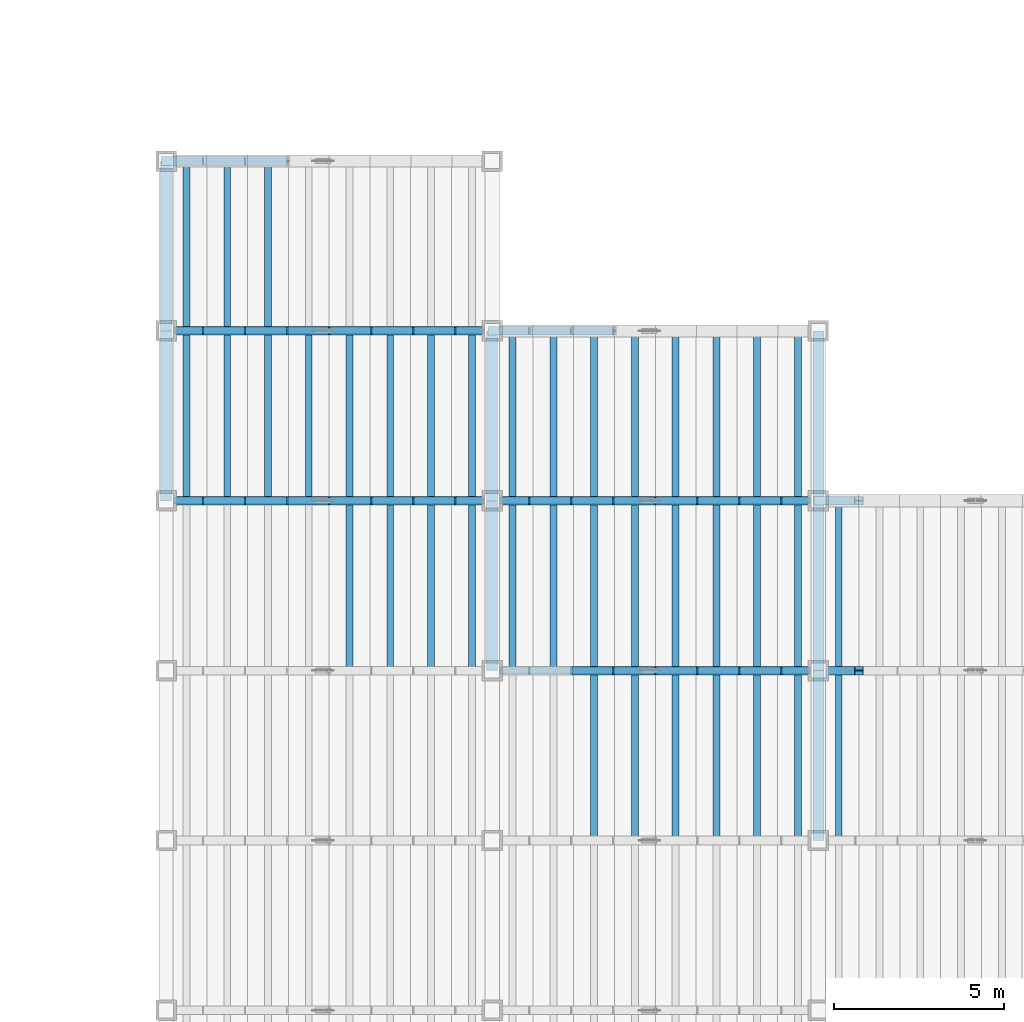
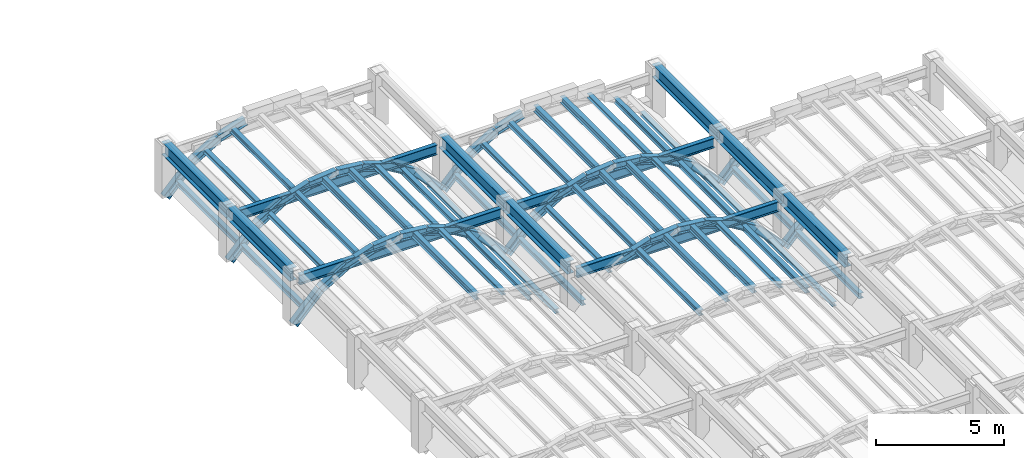
# One storey, part 21 of 70: 77 members, 11 beams.
"""IFC4 building model written with IfcOpenShell, lengths in metres."""

from ifc_helpers import new_model, si_unit, direction, frame, origin, origin_2d, place, context, subcontext, project, spatial, i_section, extrude, material, material_profile, profile_set, type_object, element, save


model = new_model("IFC4")

# Units and contexts
model_context = context("Model", 3, precision=1e-05, world=origin(), true_north=direction((0.0, 1.0)))
body_context = subcontext(model_context, "Body", "Model", "MODEL_VIEW")
ifc_project = project(units=[si_unit("LENGTHUNIT", "METRE"), si_unit("AREAUNIT", "SQUARE_METRE"), si_unit("VOLUMEUNIT", "CUBIC_METRE"), si_unit("PLANEANGLEUNIT", "RADIAN"), si_unit("MASSUNIT", "GRAM", prefix="KILO")], contexts=[model_context])

# Site, building, storey
site_placement = place(None, origin())
site = spatial("IfcSite", under=ifc_project, at=site_placement, CompositionType="ELEMENT")
building_placement = place(site_placement, origin())
building = spatial("IfcBuilding", under=site, at=building_placement, Name="Mavantir Sound Aquarium", CompositionType="ELEMENT")
storey_placement = place(building_placement, frame((0.0, 0.0, 27.0)))
storey = spatial("IfcBuildingStorey", under=building, at=storey_placement, Name="RF", CompositionType="ELEMENT", Elevation=27.0)

# Beams
ifc_material = material(Name="Structural Steel ASTM A992 Gr50", Category="steel")
ifc_material_profile_1 = material_profile(ifc_material, i_section(OverallWidth=0.194091796875, OverallDepth=0.468994140625, WebThickness=0.0126953125, FlangeThickness=0.0205078125, FilletRadius=0.01611328125, at=origin_2d()), Name="W460X106")
ifc_profile_set_1 = profile_set([ifc_material_profile_1], Name="Structural Steel ASTM A992 Gr50")
beam_type_1 = type_object("IfcBeamType", Name="BM-W460X106-I", PredefinedType="BEAM", material=ifc_profile_set_1)
for number, where, z_axis, x_axis, name in (
    (1, (108.25, 80.800048828125, -5.327392578125), (1.0, 0.0, 0.0), (0.0, 1.0, 0.0), "Scalloped bay 1 transverse tie girder 71"),
    (2, (108.25, 85.800048828125, -5.327392578125), (1.0, 0.0, 0.0), (0.0, 1.0, 0.0), "Scalloped bay 1 transverse tie girder 81"),
):
    element("IfcBeam", number, at=place(storey_placement, frame(where, z_axis=z_axis, x_axis=x_axis)), inside=storey, type_object=beam_type_1, Name=name, PredefinedType="BEAM", context=body_context, shape_type="SweptSolid", body=[
        extrude(i_section(OverallWidth=0.194091796875, OverallDepth=0.468994140625, WebThickness=0.0126953125, FlangeThickness=0.0205078125, FilletRadius=0.01611328125, at=origin_2d()), origin(), (0.0, 0.0, 1.0), 9.10009765625),
    ])
for number, where, z_axis, x_axis, name in (
    (3, (117.85009765625, 75.800048828125, -5.327392578125), (1.0, 0.0, 0.0), (0.0, 1.0, 0.0), "Scalloped bay 2 transverse tie girder 161"),
    (4, (117.85009765625, 80.800048828125, -5.327392578125), (1.0, 0.0, 0.0), (0.0, 1.0, 0.0), "Scalloped bay 2 transverse tie girder 171"),
):
    element("IfcBeam", number, at=place(storey_placement, frame(where, z_axis=z_axis, x_axis=x_axis)), inside=storey, type_object=beam_type_1, Name=name, PredefinedType="BEAM", context=body_context, shape_type="SweptSolid", body=[
        extrude(i_section(OverallWidth=0.194091796875, OverallDepth=0.468994140625, WebThickness=0.0126953125, FlangeThickness=0.0205078125, FilletRadius=0.01611328125, at=origin_2d()), origin(), (0.0, 0.0, 1.0), 9.099853515625),
    ])
ifc_material_profile_2 = material_profile(ifc_material, i_section(OverallWidth=0.323974609375, OverallDepth=0.611083984375, WebThickness=0.0126953125, FlangeThickness=0.01904296875, FilletRadius=0.01904296875, at=origin_2d()), Name="W610X155")
ifc_profile_set_2 = profile_set([ifc_material_profile_2], Name="Structural Steel ASTM A992 Gr50")
beam_type_2 = type_object("IfcBeamType", Name="BM-W610X155-E", PredefinedType="BEAM", material=ifc_profile_set_2)
for number, where, z_axis, x_axis, name in (
    (5, (108.0, 80.800048828125, -5.0048828125), (0.0, 1.0, 0.0), (-1.0, 0.0, 0.0), "Scalloped roof straight ridge beam 8"),
    (6, (108.0, 85.800048828125, -5.0048828125), (0.0, 1.0, 0.0), (-1.0, 0.0, 0.0), "Scalloped roof straight ridge beam 9"),
    (7, (117.60009765625, 75.800048828125, -5.0048828125), (0.0, 1.0, 0.0), (-1.0, 0.0, 0.0), "Scalloped roof straight ridge beam 16"),
    (8, (117.60009765625, 80.800048828125, -5.0048828125), (0.0, 1.0, 0.0), (-1.0, 0.0, 0.0), "Scalloped roof straight ridge beam 17"),
    (9, (127.199951171875, 70.800048828125, -5.0048828125), (0.0, 1.0, 0.0), (-1.0, 0.0, 0.0), "Scalloped roof straight ridge beam 24"),
    (10, (127.199951171875, 75.800048828125, -5.0048828125), (0.0, 1.0, 0.0), (-1.0, 0.0, 0.0), "Scalloped roof straight ridge beam 25"),
    (11, (127.199951171875, 80.800048828125, -5.0048828125), (0.0, 1.0, 0.0), (-1.0, 0.0, 0.0), "Scalloped roof straight ridge beam 26"),
):
    element("IfcBeam", number, at=place(storey_placement, frame(where, z_axis=z_axis, x_axis=x_axis)), inside=storey, type_object=beam_type_2, Name=name, PredefinedType="BEAM", context=body_context, shape_type="SweptSolid", body=[
        extrude(i_section(OverallWidth=0.323974609375, OverallDepth=0.611083984375, WebThickness=0.0126953125, FlangeThickness=0.01904296875, FilletRadius=0.01904296875, at=origin_2d()), origin(), (0.0, 0.0, 1.0), 5.0),
    ])

# Members
ifc_material_profile_3 = material_profile(ifc_material, i_section(OverallWidth=0.202880859375, OverallDepth=0.202880859375, WebThickness=0.007080078125, FlangeThickness=0.010986328125, FilletRadius=0.010009765625, at=origin_2d()), Name="W200X46")
ifc_profile_set_3 = profile_set([ifc_material_profile_3], Name="Structural Steel ASTM A992 Gr50")
member_type_1 = type_object("IfcMemberType", Name="MEM-TR-W200", PredefinedType="PURLIN", material=ifc_profile_set_3)
for number, where, z_axis, x_axis, name in (
    (12, (114.60009765625, 75.800048828125, -5.169921875), (0.0, 1.0, 0.0), (-1.0, 0.0, 0.0), "Scalloped bay 1 roof purlin 54"),
    (13, (117.0, 75.800048828125, -6.881103515625), (0.0, 1.0, 0.0), (-1.0, 0.0, 0.0), "Scalloped bay 1 roof purlin 56"),
    (14, (109.800048828125, 80.800048828125, -5.77978515625), (0.0, 1.0, 0.0), (-1.0, 0.0, 0.0), "Scalloped bay 1 roof purlin 58"),
    (15, (114.60009765625, 80.800048828125, -5.169921875), (0.0, 1.0, 0.0), (-1.0, 0.0, 0.0), "Scalloped bay 1 roof purlin 62"),
    (16, (117.0, 80.800048828125, -6.881103515625), (0.0, 1.0, 0.0), (-1.0, 0.0, 0.0), "Scalloped bay 1 roof purlin 64"),
    (17, (109.800048828125, 85.800048828125, -5.77978515625), (0.0, 1.0, 0.0), (-1.0, 0.0, 0.0), "Scalloped bay 1 roof purlin 66"),
    (18, (124.199951171875, 70.800048828125, -5.169921875), (0.0, 1.0, 0.0), (-1.0, 0.0, 0.0), "Scalloped bay 2 roof purlin 118"),
    (19, (126.60009765625, 70.800048828125, -6.881103515625), (0.0, 1.0, 0.0), (-1.0, 0.0, 0.0), "Scalloped bay 2 roof purlin 120"),
    (20, (119.39990234375, 75.800048828125, -5.77978515625), (0.0, 1.0, 0.0), (-1.0, 0.0, 0.0), "Scalloped bay 2 roof purlin 122"),
    (21, (124.199951171875, 75.800048828125, -5.169921875), (0.0, 1.0, 0.0), (-1.0, 0.0, 0.0), "Scalloped bay 2 roof purlin 126"),
    (22, (126.60009765625, 75.800048828125, -6.881103515625), (0.0, 1.0, 0.0), (-1.0, 0.0, 0.0), "Scalloped bay 2 roof purlin 128"),
    (23, (119.39990234375, 80.800048828125, -5.77978515625), (0.0, 1.0, 0.0), (-1.0, 0.0, 0.0), "Scalloped bay 2 roof purlin 130"),
    (24, (124.199951171875, 80.800048828125, -5.169921875), (0.0, 1.0, 0.0), (-1.0, 0.0, 0.0), "Scalloped bay 2 roof purlin 134"),
    (25, (126.60009765625, 80.800048828125, -6.881103515625), (0.0, 1.0, 0.0), (-1.0, 0.0, 0.0), "Scalloped bay 2 roof purlin 136"),
):
    element("IfcMember", number, at=place(storey_placement, frame(where, z_axis=z_axis, x_axis=x_axis)), inside=storey, type_object=member_type_1, Name=name, PredefinedType="PURLIN", context=body_context, shape_type="SweptSolid", body=[
        extrude(i_section(OverallWidth=0.202880859375, OverallDepth=0.202880859375, WebThickness=0.007080078125, FlangeThickness=0.010986328125, FilletRadius=0.010009765625, at=origin_2d()), origin(), (0.0, 0.0, 1.0), 5.0),
    ])
ifc_material_profile_4 = material_profile(ifc_material, i_section(OverallWidth=0.202880859375, OverallDepth=0.251953125, WebThickness=0.008056640625, FlangeThickness=0.013427734375, FilletRadius=0.011962890625, at=origin_2d()), Name="W250X58")
ifc_profile_set_4 = profile_set([ifc_material_profile_4], Name="Structural Steel ASTM A992 Gr50")
member_type_2 = type_object("IfcMemberType", Name="MEM-TR-W250", PredefinedType="PURLIN", material=ifc_profile_set_4)
for number, where, z_axis, x_axis, name in (
    (26, (115.800048828125, 75.800048828125, -5.804443359375), (0.0, 1.0, 0.0), (-1.0, 0.0, 0.0), "Scalloped bay 1 roof purlin 55"),
    (27, (108.60009765625, 80.800048828125, -6.90576171875), (0.0, 1.0, 0.0), (-1.0, 0.0, 0.0), "Scalloped bay 1 roof purlin 57"),
    (28, (111.0, 80.800048828125, -5.194580078125), (0.0, 1.0, 0.0), (-1.0, 0.0, 0.0), "Scalloped bay 1 roof purlin 59"),
    (29, (115.800048828125, 80.800048828125, -5.804443359375), (0.0, 1.0, 0.0), (-1.0, 0.0, 0.0), "Scalloped bay 1 roof purlin 63"),
    (30, (108.60009765625, 85.800048828125, -6.90576171875), (0.0, 1.0, 0.0), (-1.0, 0.0, 0.0), "Scalloped bay 1 roof purlin 65"),
    (31, (111.0, 85.800048828125, -5.194580078125), (0.0, 1.0, 0.0), (-1.0, 0.0, 0.0), "Scalloped bay 1 roof purlin 67"),
    (32, (120.60009765625, 70.800048828125, -5.194580078125), (0.0, 1.0, 0.0), (-1.0, 0.0, 0.0), "Scalloped bay 2 roof purlin 115"),
    (33, (125.39990234375, 70.800048828125, -5.804443359375), (0.0, 1.0, 0.0), (-1.0, 0.0, 0.0), "Scalloped bay 2 roof purlin 119"),
    (34, (118.199951171875, 75.800048828125, -6.90576171875), (0.0, 1.0, 0.0), (-1.0, 0.0, 0.0), "Scalloped bay 2 roof purlin 121"),
    (35, (120.60009765625, 75.800048828125, -5.194580078125), (0.0, 1.0, 0.0), (-1.0, 0.0, 0.0), "Scalloped bay 2 roof purlin 123"),
    (36, (125.39990234375, 75.800048828125, -5.804443359375), (0.0, 1.0, 0.0), (-1.0, 0.0, 0.0), "Scalloped bay 2 roof purlin 127"),
    (37, (118.199951171875, 80.800048828125, -6.90576171875), (0.0, 1.0, 0.0), (-1.0, 0.0, 0.0), "Scalloped bay 2 roof purlin 129"),
    (38, (120.60009765625, 80.800048828125, -5.194580078125), (0.0, 1.0, 0.0), (-1.0, 0.0, 0.0), "Scalloped bay 2 roof purlin 131"),
    (39, (125.39990234375, 80.800048828125, -5.804443359375), (0.0, 1.0, 0.0), (-1.0, 0.0, 0.0), "Scalloped bay 2 roof purlin 135"),
    (40, (127.800048828125, 70.800048828125, -6.90576171875), (0.0, 1.0, 0.0), (-1.0, 0.0, 0.0), "Scalloped bay 3 roof purlin 177"),
    (41, (127.800048828125, 75.800048828125, -6.90576171875), (0.0, 1.0, 0.0), (-1.0, 0.0, 0.0), "Scalloped bay 3 roof purlin 185"),
):
    element("IfcMember", number, at=place(storey_placement, frame(where, z_axis=z_axis, x_axis=x_axis)), inside=storey, type_object=member_type_2, Name=name, PredefinedType="PURLIN", context=body_context, shape_type="SweptSolid", body=[
        extrude(i_section(OverallWidth=0.202880859375, OverallDepth=0.251953125, WebThickness=0.008056640625, FlangeThickness=0.013427734375, FilletRadius=0.011962890625, at=origin_2d()), origin(), (0.0, 0.0, 1.0), 5.0),
    ])
ifc_material_profile_5 = material_profile(ifc_material, i_section(OverallWidth=0.205078125, OverallDepth=0.31005859375, WebThickness=0.009521484375, FlangeThickness=0.016357421875, FilletRadius=0.012939453125, at=origin_2d()), Name="W310X74")
ifc_profile_set_5 = profile_set([ifc_material_profile_5], Name="Structural Steel ASTM A992 Gr50")
member_type_3 = type_object("IfcMemberType", Name="MEM-TR-W310", PredefinedType="RAFTER", material=ifc_profile_set_5)
for number, where, z_axis, x_axis, name in (
    (42, (113.39990234375, 75.800048828125, -4.933837890625), (0.0, 1.0, 0.0), (-1.0, 0.0, 0.0), "Scalloped bay 1 roof purlin 53"),
    (43, (112.199951171875, 80.800048828125, -4.933837890625), (0.0, 1.0, 0.0), (-1.0, 0.0, 0.0), "Scalloped bay 1 roof purlin 60"),
    (44, (113.39990234375, 80.800048828125, -4.933837890625), (0.0, 1.0, 0.0), (-1.0, 0.0, 0.0), "Scalloped bay 1 roof purlin 61"),
    (45, (121.800048828125, 70.800048828125, -4.933837890625), (0.0, 1.0, 0.0), (-1.0, 0.0, 0.0), "Scalloped bay 2 roof purlin 116"),
    (46, (123.0, 70.800048828125, -4.933837890625), (0.0, 1.0, 0.0), (-1.0, 0.0, 0.0), "Scalloped bay 2 roof purlin 117"),
    (47, (121.800048828125, 75.800048828125, -4.933837890625), (0.0, 1.0, 0.0), (-1.0, 0.0, 0.0), "Scalloped bay 2 roof purlin 124"),
    (48, (123.0, 75.800048828125, -4.933837890625), (0.0, 1.0, 0.0), (-1.0, 0.0, 0.0), "Scalloped bay 2 roof purlin 125"),
    (49, (121.800048828125, 80.800048828125, -4.933837890625), (0.0, 1.0, 0.0), (-1.0, 0.0, 0.0), "Scalloped bay 2 roof purlin 132"),
    (50, (123.0, 80.800048828125, -4.933837890625), (0.0, 1.0, 0.0), (-1.0, 0.0, 0.0), "Scalloped bay 2 roof purlin 133"),
):
    element("IfcMember", number, at=place(storey_placement, frame(where, z_axis=z_axis, x_axis=x_axis)), inside=storey, type_object=member_type_3, Name=name, PredefinedType="RAFTER", context=body_context, shape_type="SweptSolid", body=[
        extrude(i_section(OverallWidth=0.205078125, OverallDepth=0.31005859375, WebThickness=0.009521484375, FlangeThickness=0.016357421875, FilletRadius=0.012939453125, at=origin_2d()), origin(), (0.0, 0.0, 1.0), 5.0),
    ])
ifc_material_profile_6 = material_profile(ifc_material, i_section(OverallWidth=0.25390625, OverallDepth=0.35302734375, WebThickness=0.009521484375, FlangeThickness=0.016357421875, FilletRadius=0.014892578125, at=origin_2d()), Name="W360X91")
ifc_profile_set_6 = profile_set([ifc_material_profile_6], Name="Structural Steel ASTM A992 Gr50")
member_type_4 = type_object("IfcMemberType", Name="MEM-TR-W360", PredefinedType="RAFTER", material=ifc_profile_set_6)
member_1_placement = place(storey_placement, frame((108.0, 80.800048828125, -7.37646484375), z_axis=(0.688727365252, 0.0, 0.725020424784), x_axis=(0.0, 1.0, 0.0)))
element("IfcMember", 51, at=member_1_placement, inside=storey, type_object=member_type_4, Name="Scalloped bay 1 sagging-arc trough rib 72", PredefinedType="RAFTER", context=body_context, shape_type="SweptSolid", body=[
    extrude(i_section(OverallWidth=0.25390625, OverallDepth=0.35302734375, WebThickness=0.009521484375, FlangeThickness=0.016357421875, FilletRadius=0.014892578125, at=origin_2d()), origin(), (0.0, 0.0, 1.0), 1.7421875),
])
member_2_placement = place(storey_placement, frame((109.199951171875, 80.800048828125, -6.11328125), z_axis=(0.856645937356, 0.0, 0.515904776109), x_axis=(0.0, 1.0, 0.0)))
element("IfcMember", 52, at=member_2_placement, inside=storey, type_object=member_type_4, Name="Scalloped bay 1 sagging-arc trough rib 73", PredefinedType="RAFTER", context=body_context, shape_type="SweptSolid", body=[
    extrude(i_section(OverallWidth=0.25390625, OverallDepth=0.35302734375, WebThickness=0.009521484375, FlangeThickness=0.016357421875, FilletRadius=0.014892578125, at=origin_2d()), origin(), (0.0, 0.0, 1.0), 1.400634765625),
])
member_3_placement = place(storey_placement, frame((110.39990234375, 80.800048828125, -5.390625), z_axis=(0.951073869353, 0.0, 0.30896358205), x_axis=(0.0, 1.0, 0.0)))
element("IfcMember", 53, at=member_3_placement, inside=storey, type_object=member_type_4, Name="Scalloped bay 1 sagging-arc trough rib 74", PredefinedType="RAFTER", context=body_context, shape_type="SweptSolid", body=[
    extrude(i_section(OverallWidth=0.25390625, OverallDepth=0.35302734375, WebThickness=0.009521484375, FlangeThickness=0.016357421875, FilletRadius=0.014892578125, at=origin_2d()), origin(), (0.0, 0.0, 1.0), 1.261962890625),
])
for number, where, z_axis, x_axis, name in (
    (54, (111.60009765625, 80.800048828125, -5.000732421875), (0.994680359373, 0.0, 0.103009624196), (0.0, 1.0, 0.0), "Scalloped bay 1 sagging-arc trough rib 75"),
    (55, (112.800048828125, 80.800048828125, -4.87646484375), (0.994680359373, 0.0, -0.103009624196), (0.0, 1.0, 0.0), "Scalloped bay 1 sagging-arc trough rib 76"),
):
    element("IfcMember", number, at=place(storey_placement, frame(where, z_axis=z_axis, x_axis=x_axis)), inside=storey, type_object=member_type_4, Name=name, PredefinedType="RAFTER", context=body_context, shape_type="SweptSolid", body=[
        extrude(i_section(OverallWidth=0.25390625, OverallDepth=0.35302734375, WebThickness=0.009521484375, FlangeThickness=0.016357421875, FilletRadius=0.014892578125, at=origin_2d()), origin(), (0.0, 0.0, 1.0), 1.206298828125),
    ])
member_4_placement = place(storey_placement, frame((114.0, 80.800048828125, -5.000732421875), z_axis=(0.951055396379, 0.0, -0.309020441102), x_axis=(0.0, 1.0, 0.0)))
element("IfcMember", 56, at=member_4_placement, inside=storey, type_object=member_type_4, Name="Scalloped bay 1 sagging-arc trough rib 78", PredefinedType="RAFTER", context=body_context, shape_type="SweptSolid", body=[
    extrude(i_section(OverallWidth=0.25390625, OverallDepth=0.35302734375, WebThickness=0.009521484375, FlangeThickness=0.016357421875, FilletRadius=0.014892578125, at=origin_2d()), origin(), (0.0, 0.0, 1.0), 1.26171875),
])
member_5_placement = place(storey_placement, frame((115.199951171875, 80.800048828125, -5.390625), z_axis=(0.856645937356, 0.0, -0.515904776109), x_axis=(0.0, 1.0, 0.0)))
element("IfcMember", 57, at=member_5_placement, inside=storey, type_object=member_type_4, Name="Scalloped bay 1 sagging-arc trough rib 79", PredefinedType="RAFTER", context=body_context, shape_type="SweptSolid", body=[
    extrude(i_section(OverallWidth=0.25390625, OverallDepth=0.35302734375, WebThickness=0.009521484375, FlangeThickness=0.016357421875, FilletRadius=0.014892578125, at=origin_2d()), origin(), (0.0, 0.0, 1.0), 1.400634765625),
])
member_6_placement = place(storey_placement, frame((116.39990234375, 80.800048828125, -6.11328125), z_axis=(0.688801013332, 0.0, -0.724950456261), x_axis=(0.0, 1.0, 0.0)))
element("IfcMember", 58, at=member_6_placement, inside=storey, type_object=member_type_4, Name="Scalloped bay 1 sagging-arc trough rib 80", PredefinedType="RAFTER", context=body_context, shape_type="SweptSolid", body=[
    extrude(i_section(OverallWidth=0.25390625, OverallDepth=0.35302734375, WebThickness=0.009521484375, FlangeThickness=0.016357421875, FilletRadius=0.014892578125, at=origin_2d()), origin(), (0.0, 0.0, 1.0), 1.742431640625),
])
member_7_placement = place(storey_placement, frame((108.0, 85.800048828125, -7.37646484375), z_axis=(0.688727365252, 0.0, 0.725020424784), x_axis=(0.0, 1.0, 0.0)))
element("IfcMember", 59, at=member_7_placement, inside=storey, type_object=member_type_4, Name="Scalloped bay 1 sagging-arc trough rib 82", PredefinedType="RAFTER", context=body_context, shape_type="SweptSolid", body=[
    extrude(i_section(OverallWidth=0.25390625, OverallDepth=0.35302734375, WebThickness=0.009521484375, FlangeThickness=0.016357421875, FilletRadius=0.014892578125, at=origin_2d()), origin(), (0.0, 0.0, 1.0), 1.7421875),
])
member_8_placement = place(storey_placement, frame((109.199951171875, 85.800048828125, -6.11328125), z_axis=(0.856645937356, 0.0, 0.515904776109), x_axis=(0.0, 1.0, 0.0)))
element("IfcMember", 60, at=member_8_placement, inside=storey, type_object=member_type_4, Name="Scalloped bay 1 sagging-arc trough rib 83", PredefinedType="RAFTER", context=body_context, shape_type="SweptSolid", body=[
    extrude(i_section(OverallWidth=0.25390625, OverallDepth=0.35302734375, WebThickness=0.009521484375, FlangeThickness=0.016357421875, FilletRadius=0.014892578125, at=origin_2d()), origin(), (0.0, 0.0, 1.0), 1.400634765625),
])
member_9_placement = place(storey_placement, frame((110.39990234375, 85.800048828125, -5.390625), z_axis=(0.951073869353, 0.0, 0.30896358205), x_axis=(0.0, 1.0, 0.0)))
element("IfcMember", 61, at=member_9_placement, inside=storey, type_object=member_type_4, Name="Scalloped bay 1 sagging-arc trough rib 84", PredefinedType="RAFTER", context=body_context, shape_type="SweptSolid", body=[
    extrude(i_section(OverallWidth=0.25390625, OverallDepth=0.35302734375, WebThickness=0.009521484375, FlangeThickness=0.016357421875, FilletRadius=0.014892578125, at=origin_2d()), origin(), (0.0, 0.0, 1.0), 1.261962890625),
])
for number, where, z_axis, x_axis, name in (
    (62, (111.60009765625, 85.800048828125, -5.000732421875), (0.994680359373, 0.0, 0.103009624196), (0.0, 1.0, 0.0), "Scalloped bay 1 sagging-arc trough rib 85"),
    (63, (112.800048828125, 85.800048828125, -4.87646484375), (0.994680359373, 0.0, -0.103009624196), (0.0, 1.0, 0.0), "Scalloped bay 1 sagging-arc trough rib 86"),
):
    element("IfcMember", number, at=place(storey_placement, frame(where, z_axis=z_axis, x_axis=x_axis)), inside=storey, type_object=member_type_4, Name=name, PredefinedType="RAFTER", context=body_context, shape_type="SweptSolid", body=[
        extrude(i_section(OverallWidth=0.25390625, OverallDepth=0.35302734375, WebThickness=0.009521484375, FlangeThickness=0.016357421875, FilletRadius=0.014892578125, at=origin_2d()), origin(), (0.0, 0.0, 1.0), 1.206298828125),
    ])
member_10_placement = place(storey_placement, frame((114.0, 85.800048828125, -5.000732421875), z_axis=(0.951055396379, 0.0, -0.309020441102), x_axis=(0.0, 1.0, 0.0)))
element("IfcMember", 64, at=member_10_placement, inside=storey, type_object=member_type_4, Name="Scalloped bay 1 sagging-arc trough rib 88", PredefinedType="RAFTER", context=body_context, shape_type="SweptSolid", body=[
    extrude(i_section(OverallWidth=0.25390625, OverallDepth=0.35302734375, WebThickness=0.009521484375, FlangeThickness=0.016357421875, FilletRadius=0.014892578125, at=origin_2d()), origin(), (0.0, 0.0, 1.0), 1.26171875),
])
member_11_placement = place(storey_placement, frame((115.199951171875, 85.800048828125, -5.390625), z_axis=(0.856645937356, 0.0, -0.515904776109), x_axis=(0.0, 1.0, 0.0)))
element("IfcMember", 65, at=member_11_placement, inside=storey, type_object=member_type_4, Name="Scalloped bay 1 sagging-arc trough rib 89", PredefinedType="RAFTER", context=body_context, shape_type="SweptSolid", body=[
    extrude(i_section(OverallWidth=0.25390625, OverallDepth=0.35302734375, WebThickness=0.009521484375, FlangeThickness=0.016357421875, FilletRadius=0.014892578125, at=origin_2d()), origin(), (0.0, 0.0, 1.0), 1.400634765625),
])
member_12_placement = place(storey_placement, frame((116.39990234375, 85.800048828125, -6.11328125), z_axis=(0.688801013332, 0.0, -0.724950456261), x_axis=(0.0, 1.0, 0.0)))
element("IfcMember", 66, at=member_12_placement, inside=storey, type_object=member_type_4, Name="Scalloped bay 1 sagging-arc trough rib 90", PredefinedType="RAFTER", context=body_context, shape_type="SweptSolid", body=[
    extrude(i_section(OverallWidth=0.25390625, OverallDepth=0.35302734375, WebThickness=0.009521484375, FlangeThickness=0.016357421875, FilletRadius=0.014892578125, at=origin_2d()), origin(), (0.0, 0.0, 1.0), 1.742431640625),
])
member_13_placement = place(storey_placement, frame((108.0, 90.800048828125, -7.37646484375), z_axis=(0.688727365252, 0.0, 0.725020424784), x_axis=(0.0, 1.0, 0.0)))
element("IfcMember", 67, at=member_13_placement, inside=storey, type_object=member_type_4, Name="Scalloped bay 1 sagging-arc trough rib 92", PredefinedType="RAFTER", context=body_context, shape_type="SweptSolid", body=[
    extrude(i_section(OverallWidth=0.25390625, OverallDepth=0.35302734375, WebThickness=0.009521484375, FlangeThickness=0.016357421875, FilletRadius=0.014892578125, at=origin_2d()), origin(), (0.0, 0.0, 1.0), 1.7421875),
])
member_14_placement = place(storey_placement, frame((109.199951171875, 90.800048828125, -6.11328125), z_axis=(0.856645937356, 0.0, 0.515904776109), x_axis=(0.0, 1.0, 0.0)))
element("IfcMember", 68, at=member_14_placement, inside=storey, type_object=member_type_4, Name="Scalloped bay 1 sagging-arc trough rib 93", PredefinedType="RAFTER", context=body_context, shape_type="SweptSolid", body=[
    extrude(i_section(OverallWidth=0.25390625, OverallDepth=0.35302734375, WebThickness=0.009521484375, FlangeThickness=0.016357421875, FilletRadius=0.014892578125, at=origin_2d()), origin(), (0.0, 0.0, 1.0), 1.400634765625),
])
member_15_placement = place(storey_placement, frame((110.39990234375, 90.800048828125, -5.390625), z_axis=(0.951073869353, 0.0, 0.30896358205), x_axis=(0.0, 1.0, 0.0)))
element("IfcMember", 69, at=member_15_placement, inside=storey, type_object=member_type_4, Name="Scalloped bay 1 sagging-arc trough rib 94", PredefinedType="RAFTER", context=body_context, shape_type="SweptSolid", body=[
    extrude(i_section(OverallWidth=0.25390625, OverallDepth=0.35302734375, WebThickness=0.009521484375, FlangeThickness=0.016357421875, FilletRadius=0.014892578125, at=origin_2d()), origin(), (0.0, 0.0, 1.0), 1.261962890625),
])
member_16_placement = place(storey_placement, frame((120.0, 75.800048828125, -5.390625), z_axis=(0.951055396379, 0.0, 0.309020441102), x_axis=(0.0, 1.0, 0.0)))
element("IfcMember", 70, at=member_16_placement, inside=storey, type_object=member_type_4, Name="Scalloped bay 2 sagging-arc trough rib 164", PredefinedType="RAFTER", context=body_context, shape_type="SweptSolid", body=[
    extrude(i_section(OverallWidth=0.25390625, OverallDepth=0.35302734375, WebThickness=0.009521484375, FlangeThickness=0.016357421875, FilletRadius=0.014892578125, at=origin_2d()), origin(), (0.0, 0.0, 1.0), 1.26171875),
])
member_17_placement = place(storey_placement, frame((121.199951171875, 75.800048828125, -5.000732421875), z_axis=(0.994680359373, 0.0, 0.103009624196), x_axis=(0.0, 1.0, 0.0)))
element("IfcMember", 71, at=member_17_placement, inside=storey, type_object=member_type_4, Name="Scalloped bay 2 sagging-arc trough rib 165", PredefinedType="RAFTER", context=body_context, shape_type="SweptSolid", body=[
    extrude(i_section(OverallWidth=0.25390625, OverallDepth=0.35302734375, WebThickness=0.009521484375, FlangeThickness=0.016357421875, FilletRadius=0.014892578125, at=origin_2d()), origin(), (0.0, 0.0, 1.0), 1.206298828125),
])
member_18_placement = place(storey_placement, frame((122.39990234375, 75.800048828125, -4.87646484375), z_axis=(0.994682506138, 0.0, -0.102988892519), x_axis=(0.0, 1.0, 0.0)))
element("IfcMember", 72, at=member_18_placement, inside=storey, type_object=member_type_4, Name="Scalloped bay 2 sagging-arc trough rib 166", PredefinedType="RAFTER", context=body_context, shape_type="SweptSolid", body=[
    extrude(i_section(OverallWidth=0.25390625, OverallDepth=0.35302734375, WebThickness=0.009521484375, FlangeThickness=0.016357421875, FilletRadius=0.014892578125, at=origin_2d()), origin(), (0.0, 0.0, 1.0), 1.20654296875),
])
member_19_placement = place(storey_placement, frame((123.60009765625, 75.800048828125, -5.000732421875), z_axis=(0.951055396379, 0.0, -0.309020441102), x_axis=(0.0, 1.0, 0.0)))
element("IfcMember", 73, at=member_19_placement, inside=storey, type_object=member_type_4, Name="Scalloped bay 2 sagging-arc trough rib 168", PredefinedType="RAFTER", context=body_context, shape_type="SweptSolid", body=[
    extrude(i_section(OverallWidth=0.25390625, OverallDepth=0.35302734375, WebThickness=0.009521484375, FlangeThickness=0.016357421875, FilletRadius=0.014892578125, at=origin_2d()), origin(), (0.0, 0.0, 1.0), 1.26171875),
])
member_20_placement = place(storey_placement, frame((124.800048828125, 75.800048828125, -5.390625), z_axis=(0.856645937356, 0.0, -0.515904776109), x_axis=(0.0, 1.0, 0.0)))
element("IfcMember", 74, at=member_20_placement, inside=storey, type_object=member_type_4, Name="Scalloped bay 2 sagging-arc trough rib 169", PredefinedType="RAFTER", context=body_context, shape_type="SweptSolid", body=[
    extrude(i_section(OverallWidth=0.25390625, OverallDepth=0.35302734375, WebThickness=0.009521484375, FlangeThickness=0.016357421875, FilletRadius=0.014892578125, at=origin_2d()), origin(), (0.0, 0.0, 1.0), 1.400634765625),
])
for number, where, z_axis, x_axis, name in (
    (75, (126.0, 75.800048828125, -6.11328125), (0.688727365252, 0.0, -0.725020424784), (0.0, 1.0, 0.0), "Scalloped bay 2 sagging-arc trough rib 170"),
    (76, (117.60009765625, 80.800048828125, -7.37646484375), (0.688727365252, 0.0, 0.725020424784), (0.0, 1.0, 0.0), "Scalloped bay 2 sagging-arc trough rib 172"),
):
    element("IfcMember", number, at=place(storey_placement, frame(where, z_axis=z_axis, x_axis=x_axis)), inside=storey, type_object=member_type_4, Name=name, PredefinedType="RAFTER", context=body_context, shape_type="SweptSolid", body=[
        extrude(i_section(OverallWidth=0.25390625, OverallDepth=0.35302734375, WebThickness=0.009521484375, FlangeThickness=0.016357421875, FilletRadius=0.014892578125, at=origin_2d()), origin(), (0.0, 0.0, 1.0), 1.7421875),
    ])
member_21_placement = place(storey_placement, frame((118.800048828125, 80.800048828125, -6.11328125), z_axis=(0.856645937356, 0.0, 0.515904776109), x_axis=(0.0, 1.0, 0.0)))
element("IfcMember", 77, at=member_21_placement, inside=storey, type_object=member_type_4, Name="Scalloped bay 2 sagging-arc trough rib 173", PredefinedType="RAFTER", context=body_context, shape_type="SweptSolid", body=[
    extrude(i_section(OverallWidth=0.25390625, OverallDepth=0.35302734375, WebThickness=0.009521484375, FlangeThickness=0.016357421875, FilletRadius=0.014892578125, at=origin_2d()), origin(), (0.0, 0.0, 1.0), 1.400634765625),
])
member_22_placement = place(storey_placement, frame((120.0, 80.800048828125, -5.390625), z_axis=(0.951055396379, 0.0, 0.309020441102), x_axis=(0.0, 1.0, 0.0)))
element("IfcMember", 78, at=member_22_placement, inside=storey, type_object=member_type_4, Name="Scalloped bay 2 sagging-arc trough rib 174", PredefinedType="RAFTER", context=body_context, shape_type="SweptSolid", body=[
    extrude(i_section(OverallWidth=0.25390625, OverallDepth=0.35302734375, WebThickness=0.009521484375, FlangeThickness=0.016357421875, FilletRadius=0.014892578125, at=origin_2d()), origin(), (0.0, 0.0, 1.0), 1.26171875),
])
member_23_placement = place(storey_placement, frame((121.199951171875, 80.800048828125, -5.000732421875), z_axis=(0.994680359373, 0.0, 0.103009624196), x_axis=(0.0, 1.0, 0.0)))
element("IfcMember", 79, at=member_23_placement, inside=storey, type_object=member_type_4, Name="Scalloped bay 2 sagging-arc trough rib 175", PredefinedType="RAFTER", context=body_context, shape_type="SweptSolid", body=[
    extrude(i_section(OverallWidth=0.25390625, OverallDepth=0.35302734375, WebThickness=0.009521484375, FlangeThickness=0.016357421875, FilletRadius=0.014892578125, at=origin_2d()), origin(), (0.0, 0.0, 1.0), 1.206298828125),
])
member_24_placement = place(storey_placement, frame((122.39990234375, 80.800048828125, -4.87646484375), z_axis=(0.994682506138, 0.0, -0.102988892519), x_axis=(0.0, 1.0, 0.0)))
element("IfcMember", 80, at=member_24_placement, inside=storey, type_object=member_type_4, Name="Scalloped bay 2 sagging-arc trough rib 176", PredefinedType="RAFTER", context=body_context, shape_type="SweptSolid", body=[
    extrude(i_section(OverallWidth=0.25390625, OverallDepth=0.35302734375, WebThickness=0.009521484375, FlangeThickness=0.016357421875, FilletRadius=0.014892578125, at=origin_2d()), origin(), (0.0, 0.0, 1.0), 1.20654296875),
])
member_25_placement = place(storey_placement, frame((123.60009765625, 80.800048828125, -5.000732421875), z_axis=(0.951055396379, 0.0, -0.309020441102), x_axis=(0.0, 1.0, 0.0)))
element("IfcMember", 81, at=member_25_placement, inside=storey, type_object=member_type_4, Name="Scalloped bay 2 sagging-arc trough rib 178", PredefinedType="RAFTER", context=body_context, shape_type="SweptSolid", body=[
    extrude(i_section(OverallWidth=0.25390625, OverallDepth=0.35302734375, WebThickness=0.009521484375, FlangeThickness=0.016357421875, FilletRadius=0.014892578125, at=origin_2d()), origin(), (0.0, 0.0, 1.0), 1.26171875),
])
member_26_placement = place(storey_placement, frame((124.800048828125, 80.800048828125, -5.390625), z_axis=(0.856645937356, 0.0, -0.515904776109), x_axis=(0.0, 1.0, 0.0)))
element("IfcMember", 82, at=member_26_placement, inside=storey, type_object=member_type_4, Name="Scalloped bay 2 sagging-arc trough rib 179", PredefinedType="RAFTER", context=body_context, shape_type="SweptSolid", body=[
    extrude(i_section(OverallWidth=0.25390625, OverallDepth=0.35302734375, WebThickness=0.009521484375, FlangeThickness=0.016357421875, FilletRadius=0.014892578125, at=origin_2d()), origin(), (0.0, 0.0, 1.0), 1.400634765625),
])
for number, where, z_axis, x_axis, name in (
    (83, (126.0, 80.800048828125, -6.11328125), (0.688727365252, 0.0, -0.725020424784), (0.0, 1.0, 0.0), "Scalloped bay 2 sagging-arc trough rib 180"),
    (84, (117.60009765625, 85.800048828125, -7.37646484375), (0.688727365252, 0.0, 0.725020424784), (0.0, 1.0, 0.0), "Scalloped bay 2 sagging-arc trough rib 182"),
):
    element("IfcMember", number, at=place(storey_placement, frame(where, z_axis=z_axis, x_axis=x_axis)), inside=storey, type_object=member_type_4, Name=name, PredefinedType="RAFTER", context=body_context, shape_type="SweptSolid", body=[
        extrude(i_section(OverallWidth=0.25390625, OverallDepth=0.35302734375, WebThickness=0.009521484375, FlangeThickness=0.016357421875, FilletRadius=0.014892578125, at=origin_2d()), origin(), (0.0, 0.0, 1.0), 1.7421875),
    ])
member_27_placement = place(storey_placement, frame((118.800048828125, 85.800048828125, -6.11328125), z_axis=(0.856645937356, 0.0, 0.515904776109), x_axis=(0.0, 1.0, 0.0)))
element("IfcMember", 85, at=member_27_placement, inside=storey, type_object=member_type_4, Name="Scalloped bay 2 sagging-arc trough rib 183", PredefinedType="RAFTER", context=body_context, shape_type="SweptSolid", body=[
    extrude(i_section(OverallWidth=0.25390625, OverallDepth=0.35302734375, WebThickness=0.009521484375, FlangeThickness=0.016357421875, FilletRadius=0.014892578125, at=origin_2d()), origin(), (0.0, 0.0, 1.0), 1.400634765625),
])
member_28_placement = place(storey_placement, frame((120.0, 85.800048828125, -5.390625), z_axis=(0.951055396379, 0.0, 0.309020441102), x_axis=(0.0, 1.0, 0.0)))
element("IfcMember", 86, at=member_28_placement, inside=storey, type_object=member_type_4, Name="Scalloped bay 2 sagging-arc trough rib 184", PredefinedType="RAFTER", context=body_context, shape_type="SweptSolid", body=[
    extrude(i_section(OverallWidth=0.25390625, OverallDepth=0.35302734375, WebThickness=0.009521484375, FlangeThickness=0.016357421875, FilletRadius=0.014892578125, at=origin_2d()), origin(), (0.0, 0.0, 1.0), 1.26171875),
])
for number, where, z_axis, x_axis, name in (
    (87, (127.199951171875, 75.800048828125, -7.37646484375), (0.688727365252, 0.0, 0.725020424784), (0.0, 1.0, 0.0), "Scalloped bay 3 sagging-arc trough rib 252"),
    (88, (127.199951171875, 80.800048828125, -7.37646484375), (0.688727365252, 0.0, 0.725020424784), (0.0, 1.0, 0.0), "Scalloped bay 3 sagging-arc trough rib 262"),
):
    element("IfcMember", number, at=place(storey_placement, frame(where, z_axis=z_axis, x_axis=x_axis)), inside=storey, type_object=member_type_4, Name=name, PredefinedType="RAFTER", context=body_context, shape_type="SweptSolid", body=[
        extrude(i_section(OverallWidth=0.25390625, OverallDepth=0.35302734375, WebThickness=0.009521484375, FlangeThickness=0.016357421875, FilletRadius=0.014892578125, at=origin_2d()), origin(), (0.0, 0.0, 1.0), 1.7421875),
    ])

save(model, "model.ifc")
